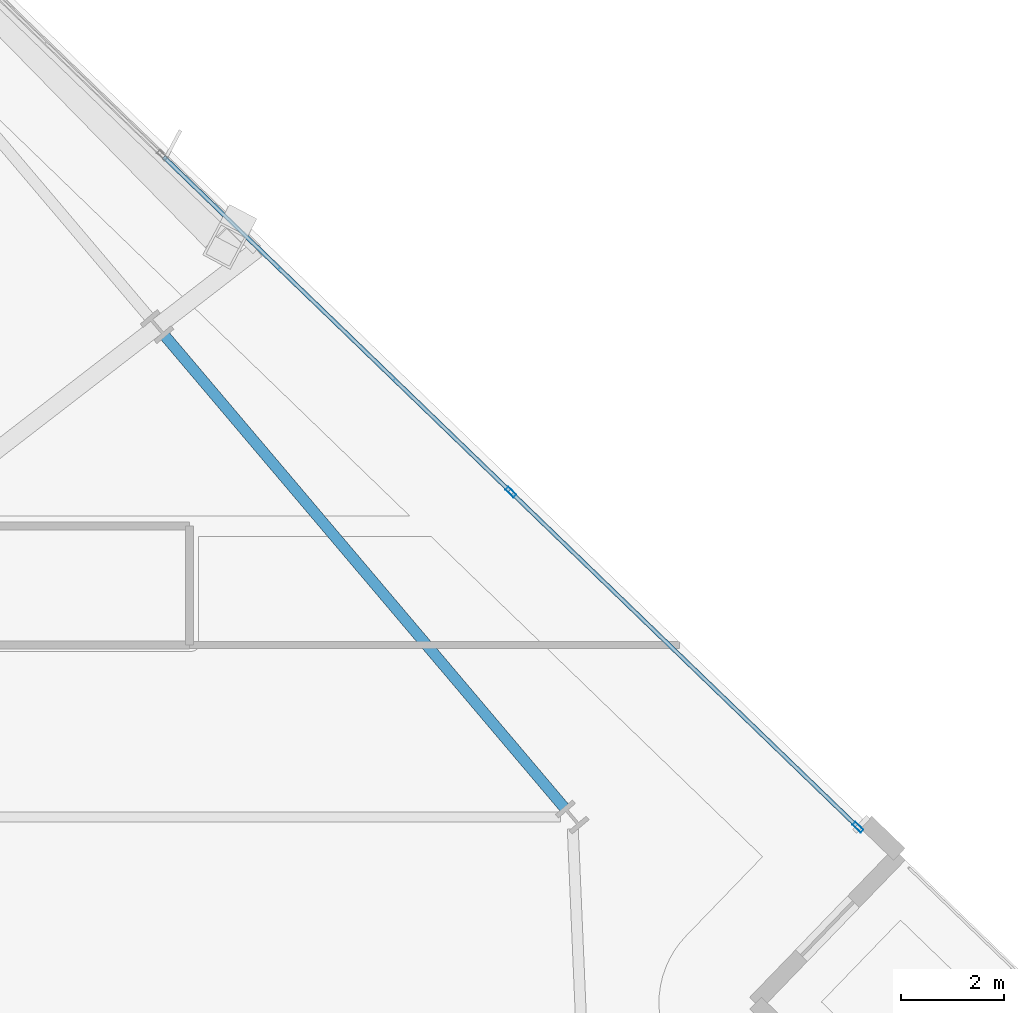
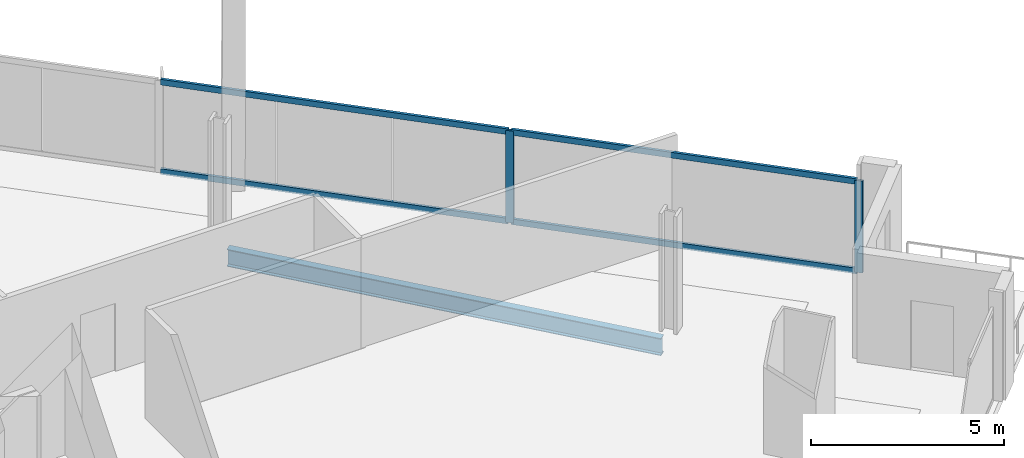
# One storey, part 21 of 33: 6 members, 1 beam, 1 element without a shape of its own.
"""IFC4 building model written with IfcOpenShell, lengths in metres."""

from ifc_helpers import new_model, si_unit, direction, frame, origin, origin_2d, place, context, subcontext, project, spatial, hollow_rectangle, i_section, extrude, material, material_profile, profile_set, type_object, element, aggregate, save


model = new_model("IFC4")

# Units and contexts
model_context = context("Model", 3, precision=1e-05, world=origin(), true_north=direction((0.0, 1.0)))
body_context = subcontext(model_context, "Body", "Model", "MODEL_VIEW")
ifc_project = project(units=[si_unit("LENGTHUNIT", "METRE"), si_unit("AREAUNIT", "SQUARE_METRE"), si_unit("VOLUMEUNIT", "CUBIC_METRE"), si_unit("PLANEANGLEUNIT", "RADIAN"), si_unit("MASSUNIT", "GRAM", prefix="KILO")], contexts=[model_context])

# Site, building, storey
site_placement = place(None, origin())
site = spatial("IfcSite", under=ifc_project, at=site_placement, CompositionType="ELEMENT")
building_placement = place(site_placement, origin())
building = spatial("IfcBuilding", under=site, at=building_placement, Name="Haldenkirk Collegiate Tower", CompositionType="ELEMENT")
storey_placement = place(building_placement, frame((0.0, 0.0, 181.949951171875)))
storey = spatial("IfcBuildingStorey", under=building, at=storey_placement, Name="L45", CompositionType="ELEMENT", Elevation=181.949951171875)

# Beam
ifc_material_1 = material(Name="Steel ASTM A992 Grade 50", Category="steel")
ifc_material_profile_1 = material_profile(ifc_material_1, i_section(OverallWidth=0.2119140625, OverallDepth=0.5439453125, WebThickness=0.01318359375, FlangeThickness=0.021240234375, at=origin_2d()), Name="W21X83")
ifc_profile_set_1 = profile_set([ifc_material_profile_1], Name="Steel ASTM A992 Grade 50")
beam_type = type_object("IfcBeamType", Name="BM-SPANDREL-W21X83", PredefinedType="SPANDREL", material=ifc_profile_set_1)
beam_placement = place(storey_placement, frame((61.051513671875, 30.998779296875, -0.56201171875), z_axis=(-0.646116898468, 0.763238464383, 0.0), x_axis=(-0.763238464383, -0.646116898468, 0.0)))
element("IfcBeam", 1, at=beam_placement, inside=storey, type_object=beam_type, Name="L45 perimeter spandrel beam 06", PredefinedType="SPANDREL", context=body_context, shape_type="SweptSolid", body=[
    extrude(i_section(OverallWidth=0.2119140625, OverallDepth=0.5439453125, WebThickness=0.01318359375, FlangeThickness=0.021240234375, at=origin_2d()), origin(), (0.0, 0.0, 1.0), 11.967041015625),
])

# Curtain wall, members
ifc_material_2 = material(Name="Anodised architectural bronze aluminium", Category="aluminium")
curtain_wall_type = type_object("IfcCurtainWallType", Name="CW-SYS1-CONVEX-LOW", PredefinedType="USERDEFINED", material=ifc_material_2)
curtain_wall_placement = place(storey_placement, origin())
curtain_wall = element("IfcCurtainWall", 2, at=curtain_wall_placement, inside=storey, type_object=curtain_wall_type, Name="L45 Lower tower convex bronze-framed unitised curtain wall", ObjectType="UNITISED CURTAIN WALL", PredefinedType="USERDEFINED")
ifc_material_profile_2 = material_profile(ifc_material_2, hollow_rectangle(XDim=0.080078125, YDim=0.219970703125, WallThickness=0.0048828125, at=origin_2d()), Name="CW-MUL-1A")
ifc_profile_set_2 = profile_set([ifc_material_profile_2], Name="Anodised architectural bronze aluminium")
member_type_1 = type_object("IfcMemberType", Name="CW-MUL-1A", PredefinedType="MULLION", material=ifc_profile_set_2)
member_1_placement = place(storey_placement, frame((60.011474609375, 37.107666015625, 0.0), z_axis=(0.0, 0.0, 1.0), x_axis=(0.694657514243, 0.719340627176, 0.0)))
member_1 = element("IfcMember", 3, at=member_1_placement, type_object=member_type_1, Name="CW-1A mullion 4", PredefinedType="MULLION", context=body_context, shape_type="SweptSolid", body=[
    extrude(hollow_rectangle(XDim=0.080078125, YDim=0.219970703125, WallThickness=0.0048828125, at=origin_2d()), origin(), (0.0, 0.0, 1.0), 2.9111328125),
])
member_2_placement = place(storey_placement, frame((66.721923828125, 30.62744140625, 0.0), z_axis=(0.0, 0.0, 1.0), x_axis=(0.694657514243, 0.719340627176, 0.0)))
member_2 = element("IfcMember", 4, at=member_2_placement, type_object=member_type_1, Name="CW-1A mullion 5", PredefinedType="MULLION", context=body_context, shape_type="SweptSolid", body=[
    extrude(hollow_rectangle(XDim=0.080078125, YDim=0.219970703125, WallThickness=0.0048828125, at=origin_2d()), origin(), (0.0, 0.0, 1.0), 2.9111328125),
])
ifc_material_profile_3 = material_profile(ifc_material_2, hollow_rectangle(XDim=0.080078125, YDim=0.179931640625, WallThickness=0.0048828125, at=origin_2d()), Name="CW-TRN-1A")
ifc_profile_set_3 = profile_set([ifc_material_profile_3], Name="Anodised architectural bronze aluminium")
member_type_2 = type_object("IfcMemberType", Name="CW-TRN-1A", PredefinedType="USERDEFINED", material=ifc_profile_set_3)
member_3_placement = place(storey_placement, frame((53.301025390625, 43.588134765625, 0.0400390625), z_axis=(0.719326277564, -0.694672373429, 0.0), x_axis=(0.694672373429, 0.719326277564, 0.0)))
member_3 = element("IfcMember", 5, at=member_3_placement, type_object=member_type_2, Name="CW-1A transom 3.1", ObjectType="TRANSOM", PredefinedType="USERDEFINED", context=body_context, shape_type="SweptSolid", body=[
    extrude(hollow_rectangle(XDim=0.080078125, YDim=0.179931640625, WallThickness=0.0048828125, at=origin_2d()), origin(), (0.0, 0.0, 1.0), 9.288818359375),
])
member_4_placement = place(storey_placement, frame((53.301025390625, 43.588134765625, 2.87109375), z_axis=(0.719326277564, -0.694672373429, 0.0), x_axis=(0.694672373429, 0.719326277564, 0.0)))
member_4 = element("IfcMember", 6, at=member_4_placement, type_object=member_type_2, Name="CW-1A transom 3.2", ObjectType="TRANSOM", PredefinedType="USERDEFINED", context=body_context, shape_type="SweptSolid", body=[
    extrude(hollow_rectangle(XDim=0.080078125, YDim=0.179931640625, WallThickness=0.0048828125, at=origin_2d()), origin(), (0.0, 0.0, 1.0), 9.288818359375),
])
member_5_placement = place(storey_placement, frame((60.040283203125, 37.080078125, 0.0400390625), z_axis=(0.719339599875, -0.694658578045, 0.0), x_axis=(0.694658578045, 0.719339599875, 0.0)))
member_5 = element("IfcMember", 7, at=member_5_placement, type_object=member_type_2, Name="CW-1A transom 4.1", ObjectType="TRANSOM", PredefinedType="USERDEFINED", context=body_context, shape_type="SweptSolid", body=[
    extrude(hollow_rectangle(XDim=0.080078125, YDim=0.179931640625, WallThickness=0.0048828125, at=origin_2d()), origin(), (0.0, 0.0, 1.0), 9.248779296875),
])
member_6_placement = place(storey_placement, frame((60.040283203125, 37.080078125, 2.87109375), z_axis=(0.719339599875, -0.694658578045, 0.0), x_axis=(0.694658578045, 0.719339599875, 0.0)))
member_6 = element("IfcMember", 8, at=member_6_placement, type_object=member_type_2, Name="CW-1A transom 4.2", ObjectType="TRANSOM", PredefinedType="USERDEFINED", context=body_context, shape_type="SweptSolid", body=[
    extrude(hollow_rectangle(XDim=0.080078125, YDim=0.179931640625, WallThickness=0.0048828125, at=origin_2d()), origin(), (0.0, 0.0, 1.0), 9.248779296875),
])
aggregate(curtain_wall, [member_1, member_2, member_3, member_4, member_5, member_6])

save(model, "model.ifc")
